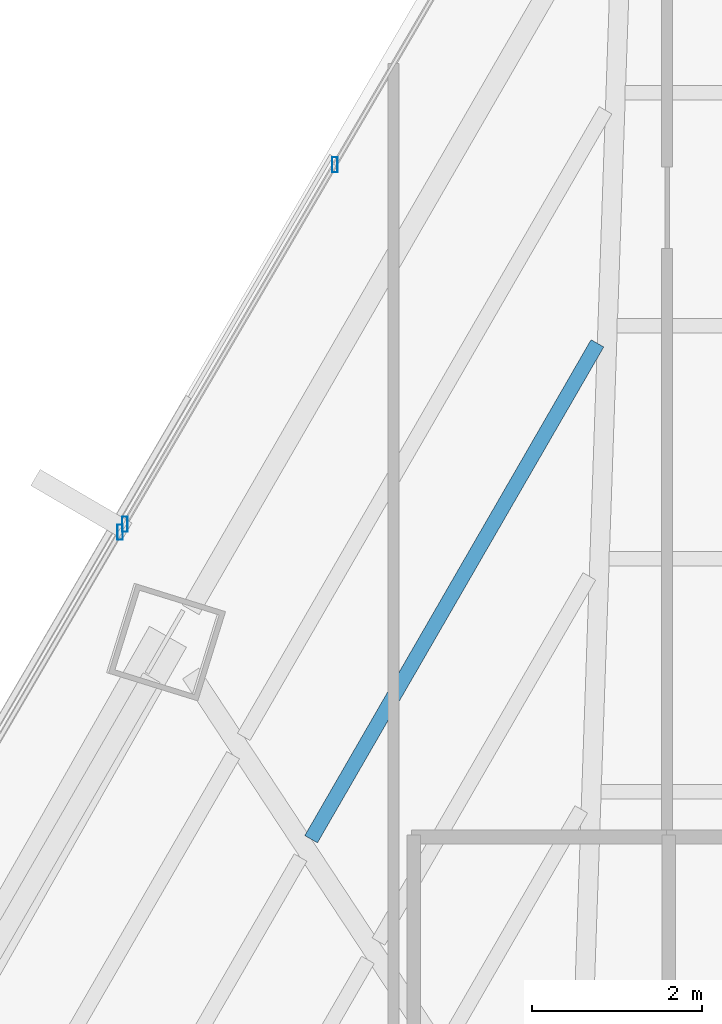
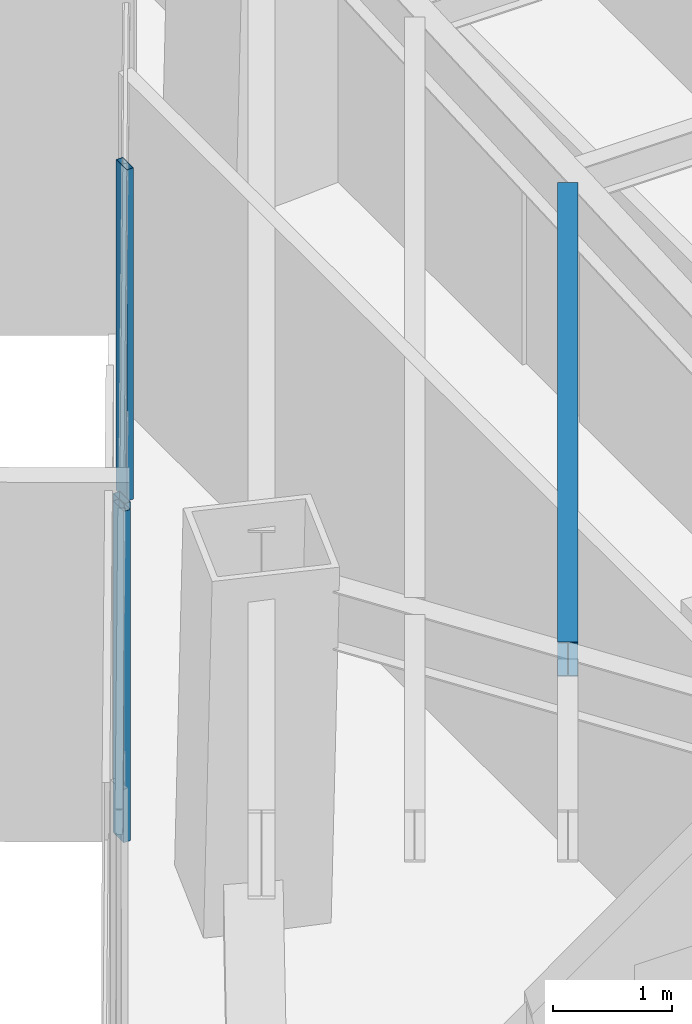
# One storey, part 23 of 35: 3 members, 1 beam, 2 elements without a shape of their own.
"""IFC4 building model written with IfcOpenShell, lengths in metres."""

from ifc_helpers import new_model, si_unit, direction, frame, origin, origin_2d, place, context, subcontext, project, spatial, hollow_rectangle, i_section, extrude, source, transform, mapped, material, material_profile, profile_set, type_object, type_shapes, element, aggregate, save


model = new_model("IFC4")

# Units and contexts
model_context = context("Model", 3, precision=1e-05, world=origin(), true_north=direction((0.0, 1.0)))
body_context = subcontext(model_context, "Body", "Model", "MODEL_VIEW")
ifc_project = project(units=[si_unit("LENGTHUNIT", "METRE"), si_unit("AREAUNIT", "SQUARE_METRE"), si_unit("VOLUMEUNIT", "CUBIC_METRE"), si_unit("PLANEANGLEUNIT", "RADIAN"), si_unit("MASSUNIT", "GRAM", prefix="KILO")], contexts=[model_context])

# Site, building, storey
site_placement = place(None, origin())
site = spatial("IfcSite", under=ifc_project, at=site_placement, CompositionType="ELEMENT")
building_placement = place(site_placement, origin())
building = spatial("IfcBuilding", under=site, at=building_placement, Name="Caelisora Broadcast Tower", CompositionType="ELEMENT")
storey_placement = place(building_placement, frame((0.0, 0.0, 123.64990234375)))
storey = spatial("IfcBuildingStorey", under=building, at=storey_placement, Name="L32", CompositionType="ELEMENT", Elevation=123.64990234375)

# Beam
ifc_material_1 = material(Name="Steel Grade 350 (AS/NZS 3679.1)", Category="steel")
ifc_material_profile_1 = material_profile(ifc_material_1, i_section(OverallWidth=0.172119140625, OverallDepth=0.358642578125, WebThickness=0.008056640625, FlangeThickness=0.012939453125, at=origin_2d()), Name="Steel Grade 350 (AS/NZS 3679.1)")
ifc_profile_set_1 = profile_set([ifc_material_profile_1], Name="Steel Grade 350 (AS/NZS 3679.1)")
beam_type = type_object("IfcBeamType", Name="SB02", PredefinedType="JOIST", material=ifc_profile_set_1)
shared_shape_1 = source(origin(), body_context, "Body", "SweptSolid", [
    extrude(i_section(OverallWidth=0.172119140625, OverallDepth=0.358642578125, WebThickness=0.008056640625, FlangeThickness=0.012939453125, at=origin_2d()), origin(), (0.0, 0.0, 1.0), 6.735595703125),
])
type_shapes(beam_type, [shared_shape_1])
beam_placement = place(storey_placement, frame((30.76025390625, 40.75732421875, 3.220703125), z_axis=(-0.500010058657, -0.866019596338, 0.0), x_axis=(0.866019596338, -0.500010058657, 0.0)))
element("IfcBeam", 1, at=beam_placement, inside=storey, type_object=beam_type, Name="L32 beam SB02", PredefinedType="JOIST", context=body_context, shape_type="MappedRepresentation", body=[
    mapped(shared_shape_1, transform((0.0, 0.0, 0.0), scale=1.0)),
])

# Curtain wall, member
ifc_material_2 = material(Name="Unitised Aluminium Insulated Shadow-Box Spandrel Curtain Wall", Category="aluminium")
curtain_wall_type_1 = type_object("IfcCurtainWallType", Name="CW-SP1", PredefinedType="NOTDEFINED", material=ifc_material_2)
curtain_wall_1_placement = place(storey_placement, origin())
curtain_wall_1 = element("IfcCurtainWall", 2, at=curtain_wall_1_placement, inside=storey, type_object=curtain_wall_type_1, Name="L32 curtain wall CW-SP1", PredefinedType="NOTDEFINED")
ifc_material_3 = material(Name="Aluminium 6063-T6 Anodised Terracotta Bronze", Category="aluminium")
ifc_material_profile_2 = material_profile(ifc_material_3, hollow_rectangle(XDim=0.06494140625, YDim=0.179931640625, WallThickness=0.00341796875, at=origin_2d()), Name="Aluminium 6063-T6 Anodised Terracotta Bronze")
ifc_profile_set_2 = profile_set([ifc_material_profile_2], Name="Aluminium 6063-T6 Anodised Terracotta Bronze")
member_type = type_object("IfcMemberType", Name="CWM-02", PredefinedType="MULLION", material=ifc_profile_set_2)
shared_shape_2 = source(origin(), body_context, "Body", "SweptSolid", [
    extrude(hollow_rectangle(XDim=0.06494140625, YDim=0.179931640625, WallThickness=0.00341796875, at=origin_2d()), origin(), (0.0, 0.0, 1.0), 3.400146484375),
])
type_shapes(member_type, [shared_shape_2])
member_1_placement = place(storey_placement, frame((25.144775390625, 38.5341796875, 0.0), z_axis=(0.0, 0.0, 1.0), x_axis=(1.0, 0.0, 0.0)))
member_1 = element("IfcMember", 3, at=member_1_placement, type_object=member_type, Name="L32-CW-B10 mullion #3", PredefinedType="MULLION", context=body_context, shape_type="MappedRepresentation", body=[
    mapped(shared_shape_2, transform((0.0, 0.0, 0.0), scale=1.0)),
])
aggregate(curtain_wall_1, [member_1])

# Curtain wall, members
ifc_material_4 = material(Name="Unitised Aluminium and Low-E Glass Curtain Wall", Category="glass")
curtain_wall_type_2 = type_object("IfcCurtainWallType", Name="CW-Z2", PredefinedType="NOTDEFINED", material=ifc_material_4)
curtain_wall_2_placement = place(storey_placement, origin())
curtain_wall_2 = element("IfcCurtainWall", 4, at=curtain_wall_2_placement, inside=storey, type_object=curtain_wall_type_2, Name="L32 curtain wall CW-Z2", PredefinedType="NOTDEFINED")
member_2_placement = place(storey_placement, frame((25.2001953125, 38.62939453125, 0.0), z_axis=(0.0, 0.0, 1.0), x_axis=(1.0, 0.0, 0.0)))
member_2 = element("IfcMember", 5, at=member_2_placement, type_object=member_type, Name="L32-CW-B11 mullion #0", PredefinedType="MULLION", context=body_context, shape_type="MappedRepresentation", body=[
    mapped(shared_shape_2, transform((0.0, 0.0, 0.0), scale=1.0)),
])
member_3_placement = place(storey_placement, frame((27.671142578125, 42.857421875, 0.0), z_axis=(0.0, 0.0, 1.0), x_axis=(1.0, 0.0, 0.0)))
member_3 = element("IfcMember", 6, at=member_3_placement, type_object=member_type, Name="L32-CW-B11 mullion #1", PredefinedType="MULLION", context=body_context, shape_type="MappedRepresentation", body=[
    mapped(shared_shape_2, transform((0.0, 0.0, 0.0), scale=1.0)),
])
aggregate(curtain_wall_2, [member_2, member_3])

save(model, "model.ifc")
